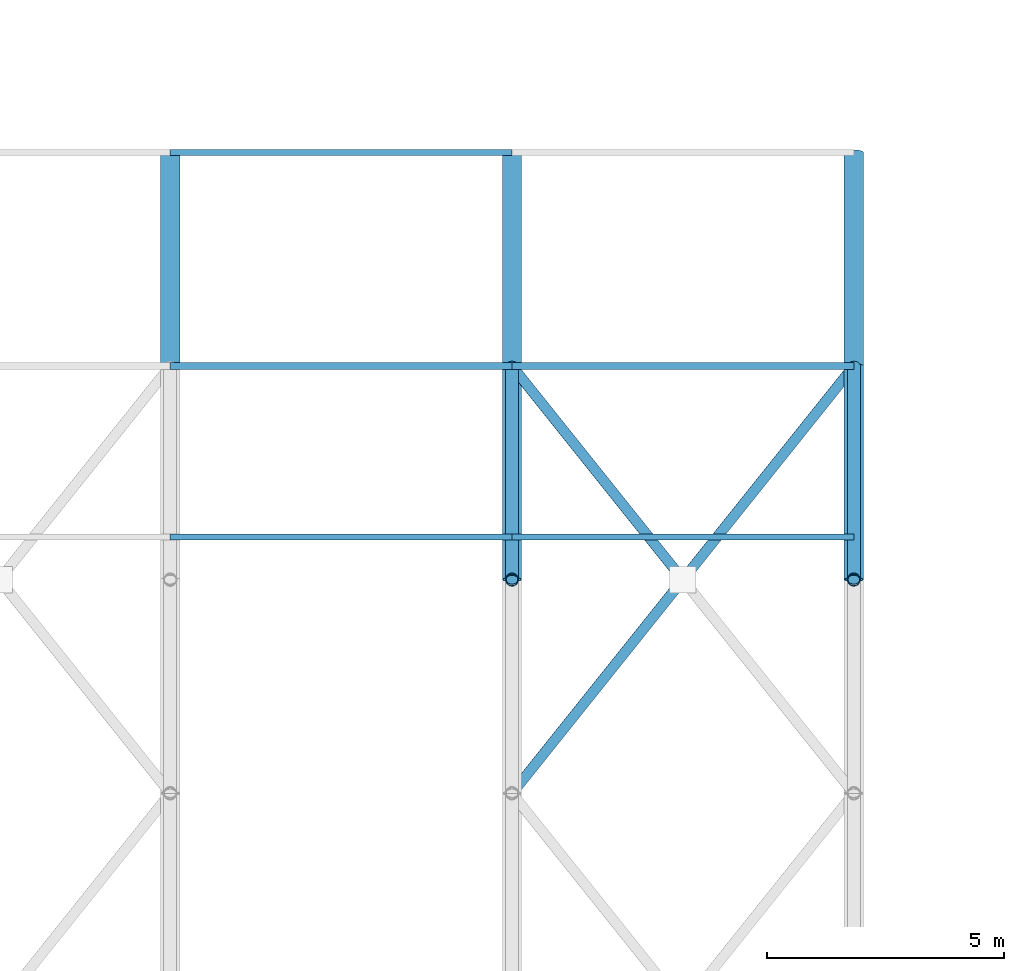
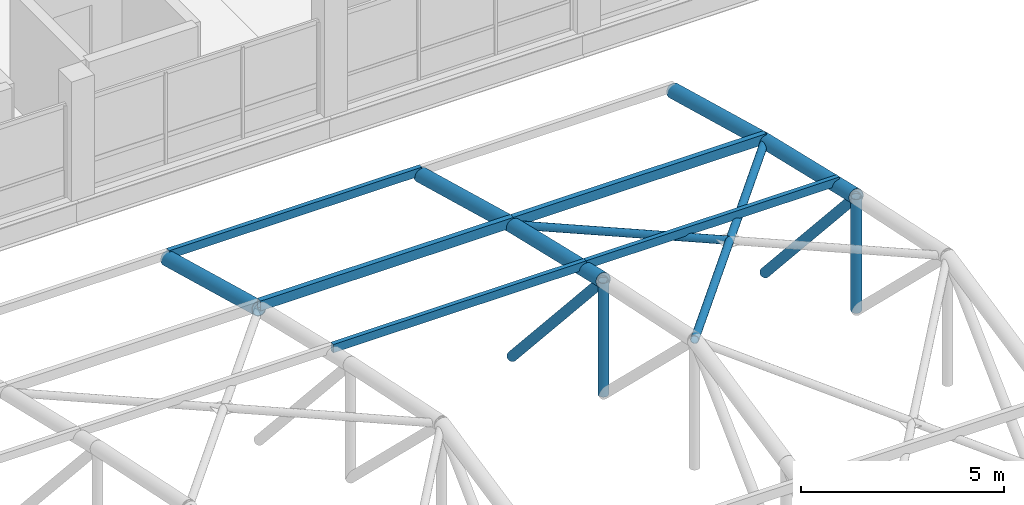
# One storey, part 34 of 96: 16 members.
"""IFC4 building model written with IfcOpenShell, lengths in metres."""

from ifc_helpers import new_model, si_unit, direction, frame, origin, origin_2d, place, context, subcontext, project, spatial, hollow_rectangle, hollow_circle, extrude, material, material_profile, profile_set, type_object, element, save


model = new_model("IFC4")

# Units and contexts
model_context = context("Model", 3, precision=1e-05, world=origin(), true_north=direction((0.0, 1.0)))
body_context = subcontext(model_context, "Body", "Model", "MODEL_VIEW")
ifc_project = project(units=[si_unit("LENGTHUNIT", "METRE"), si_unit("AREAUNIT", "SQUARE_METRE"), si_unit("VOLUMEUNIT", "CUBIC_METRE"), si_unit("PLANEANGLEUNIT", "RADIAN"), si_unit("MASSUNIT", "GRAM", prefix="KILO")], contexts=[model_context])

# Site, building, storey
site_placement = place(None, origin())
site = spatial("IfcSite", under=ifc_project, at=site_placement, CompositionType="ELEMENT")
building_placement = place(site_placement, origin())
building = spatial("IfcBuilding", under=site, at=building_placement, Name="Yarey Park Central Fire Station", CompositionType="ELEMENT")
storey_placement = place(building_placement, frame((0.0, 0.0, 14.39990234375)))
storey = spatial("IfcBuildingStorey", under=building, at=storey_placement, Name="L04", CompositionType="ELEMENT", Elevation=14.39990234375)

# Members
ifc_material = material(Name="Steel ASTM A500 Gr. C", Category="steel")
ifc_material_profile_1 = material_profile(ifc_material, hollow_circle(Radius=0.109619140625, WallThickness=0.010009765625, at=origin_2d()), Name="CHS 219.1x10")
ifc_profile_set_1 = profile_set([ifc_material_profile_1], Name="Steel ASTM A500 Gr. C")
member_type_1 = type_object("IfcMemberType", Name="STR_BRC_CHS219", PredefinedType="BRACE", material=ifc_profile_set_1)
member_1_placement = place(storey_placement, frame((129.60009765625, 75.60009765625, 3.93603515625), z_axis=(0.615531741105, 0.769419894344, -0.170627377286), x_axis=(-0.780870876022, 0.624692464322, 0.0)))
element("IfcMember", 1, at=member_1_placement, inside=storey, type_object=member_type_1, Name="XBR_ARCH_B11_75_1", PredefinedType="BRACE", context=body_context, shape_type="SweptSolid", body=[
    extrude(hollow_circle(Radius=0.109619140625, WallThickness=0.010009765625, at=origin_2d()), origin(), (0.0, 0.0, 1.0), 11.697021484375),
])
member_2_placement = place(storey_placement, frame((133.199951171875, 80.10009765625, 2.93798828125), z_axis=(-0.615520968904, 0.76943251942, -0.170609304843), x_axis=(-0.780881208953, -0.624679547852, 0.0)))
element("IfcMember", 2, at=member_2_placement, inside=storey, type_object=member_type_1, Name="XBR_ARCH_B11_75_2B", PredefinedType="BRACE", context=body_context, shape_type="SweptSolid", body=[
    extrude(hollow_circle(Radius=0.109619140625, WallThickness=0.010009765625, at=origin_2d()), origin(), (0.0, 0.0, 1.0), 5.848388671875),
])
ifc_material_profile_2 = material_profile(ifc_material, hollow_circle(Radius=0.203125, WallThickness=0.01611328125, at=origin_2d()), Name="CHS 406.4x16")
ifc_profile_set_2 = profile_set([ifc_material_profile_2], Name="Steel ASTM A500 Gr. C")
member_type_2 = type_object("IfcMemberType", Name="STR_CHORD_CHS406", PredefinedType="CHORD", material=ifc_profile_set_2)
member_3_placement = place(storey_placement, frame((122.39990234375, 84.60009765625, 1.940185546875), z_axis=(0.0, 0.965014687101, -0.262195830783), x_axis=(-1.0, 0.0, 0.0)))
element("IfcMember", 3, at=member_3_placement, inside=storey, type_object=member_type_2, Name="Arched Roof Truss ART_10 Top Chord 7", PredefinedType="CHORD", context=body_context, shape_type="SweptSolid", body=[
    extrude(hollow_circle(Radius=0.203125, WallThickness=0.01611328125, at=origin_2d()), origin(), (0.0, 0.0, 1.0), 4.6630859375),
])
member_4_placement = place(storey_placement, frame((129.60009765625, 80.10009765625, 2.99609375), z_axis=(0.0, 0.97355760432, -0.228441657915), x_axis=(-1.0, 0.0, 0.0)))
element("IfcMember", 4, at=member_4_placement, inside=storey, type_object=member_type_2, Name="Arched Roof Truss ART_11 Top Chord 6", PredefinedType="CHORD", context=body_context, shape_type="SweptSolid", body=[
    extrude(hollow_circle(Radius=0.203125, WallThickness=0.01611328125, at=origin_2d()), origin(), (0.0, 0.0, 1.0), 4.622314453125),
])
member_5_placement = place(storey_placement, frame((129.60009765625, 84.60009765625, 1.940185546875), z_axis=(0.0, 0.965014687101, -0.262195830783), x_axis=(-1.0, 0.0, 0.0)))
element("IfcMember", 5, at=member_5_placement, inside=storey, type_object=member_type_2, Name="Arched Roof Truss ART_11 Top Chord 7", PredefinedType="CHORD", context=body_context, shape_type="SweptSolid", body=[
    extrude(hollow_circle(Radius=0.203125, WallThickness=0.01611328125, at=origin_2d()), origin(), (0.0, 0.0, 1.0), 4.6630859375),
])
member_6_placement = place(storey_placement, frame((136.800048828125, 80.10009765625, 2.99609375), z_axis=(0.0, 0.97355760432, -0.228441657915), x_axis=(-1.0, 0.0, 0.0)))
element("IfcMember", 6, at=member_6_placement, inside=storey, type_object=member_type_2, Name="Arched Roof Truss ART_12 Top Chord 6", PredefinedType="CHORD", context=body_context, shape_type="SweptSolid", body=[
    extrude(hollow_circle(Radius=0.203125, WallThickness=0.01611328125, at=origin_2d()), origin(), (0.0, 0.0, 1.0), 4.622314453125),
])
member_7_placement = place(storey_placement, frame((136.800048828125, 84.60009765625, 1.940185546875), z_axis=(0.0, 0.965014687101, -0.262195830783), x_axis=(-1.0, 0.0, 0.0)))
element("IfcMember", 7, at=member_7_placement, inside=storey, type_object=member_type_2, Name="Arched Roof Truss ART_12 Top Chord 7", PredefinedType="CHORD", context=body_context, shape_type="SweptSolid", body=[
    extrude(hollow_circle(Radius=0.203125, WallThickness=0.01611328125, at=origin_2d()), origin(), (0.0, 0.0, 1.0), 4.6630859375),
])
ifc_material_profile_3 = material_profile(ifc_material, hollow_rectangle(XDim=0.125, YDim=0.25, WallThickness=0.008056640625, at=origin_2d()), Name="HSS 250x125x8")
ifc_profile_set_3 = profile_set([ifc_material_profile_3], Name="Steel ASTM A500 Gr. C")
member_type_3 = type_object("IfcMemberType", Name="STR_GIRT_HSS250", PredefinedType="PURLIN", material=ifc_profile_set_3)
for number, where, z_axis, x_axis, name in (
    (8, (122.39990234375, 81.0, 2.947021484375), (1.0, 0.0, 0.0), (0.0, 1.0, 0.0), "PUR_ARCH_B10_6"),
    (9, (122.39990234375, 89.10009765625, 0.856689453125), (1.0, 0.0, 0.0), (0.0, 1.0, 0.0), "PUR_ARCH_B10_8"),
):
    element("IfcMember", number, at=place(storey_placement, frame(where, z_axis=z_axis, x_axis=x_axis)), inside=storey, type_object=member_type_3, Name=name, PredefinedType="PURLIN", context=body_context, shape_type="SweptSolid", body=[
        extrude(hollow_rectangle(XDim=0.125, YDim=0.25, WallThickness=0.008056640625, at=origin_2d()), origin(), (0.0, 0.0, 1.0), 7.2001953125),
    ])
member_8_placement = place(storey_placement, frame((129.60009765625, 81.0, 2.947021484375), z_axis=(1.0, 0.0, 0.0), x_axis=(0.0, 1.0, 0.0)))
element("IfcMember", 10, at=member_8_placement, inside=storey, type_object=member_type_3, Name="PUR_ARCH_B11_6", PredefinedType="PURLIN", context=body_context, shape_type="SweptSolid", body=[
    extrude(hollow_rectangle(XDim=0.125, YDim=0.25, WallThickness=0.008056640625, at=origin_2d()), origin(), (0.0, 0.0, 1.0), 7.199951171875),
])
ifc_material_profile_4 = material_profile(ifc_material, hollow_rectangle(XDim=0.14990234375, YDim=0.300048828125, WallThickness=0.010009765625, at=origin_2d()), Name="HSS 300x150x10")
ifc_profile_set_4 = profile_set([ifc_material_profile_4], Name="Steel ASTM A500 Gr. C")
member_type_4 = type_object("IfcMemberType", Name="STR_PUR_HSS300", PredefinedType="PURLIN", material=ifc_profile_set_4)
member_9_placement = place(storey_placement, frame((122.39990234375, 84.60009765625, 2.05419921875), z_axis=(1.0, 0.0, 0.0), x_axis=(0.0, 1.0, 0.0)))
element("IfcMember", 11, at=member_9_placement, inside=storey, type_object=member_type_4, Name="PUR_ARCH_B10_7", PredefinedType="PURLIN", context=body_context, shape_type="SweptSolid", body=[
    extrude(hollow_rectangle(XDim=0.14990234375, YDim=0.300048828125, WallThickness=0.010009765625, at=origin_2d()), origin(), (0.0, 0.0, 1.0), 7.2001953125),
])
member_10_placement = place(storey_placement, frame((129.60009765625, 84.60009765625, 2.05419921875), z_axis=(1.0, 0.0, 0.0), x_axis=(0.0, 1.0, 0.0)))
element("IfcMember", 12, at=member_10_placement, inside=storey, type_object=member_type_4, Name="PUR_ARCH_B11_7", PredefinedType="PURLIN", context=body_context, shape_type="SweptSolid", body=[
    extrude(hollow_rectangle(XDim=0.14990234375, YDim=0.300048828125, WallThickness=0.010009765625, at=origin_2d()), origin(), (0.0, 0.0, 1.0), 7.199951171875),
])
ifc_material_profile_5 = material_profile(ifc_material, hollow_circle(Radius=0.136474609375, WallThickness=0.012451171875, at=origin_2d()), Name="CHS 273x12.5")
ifc_profile_set_5 = profile_set([ifc_material_profile_5], Name="Steel ASTM A500 Gr. C")
member_type_5 = type_object("IfcMemberType", Name="STR_WEB_CHS273", PredefinedType="BRACE", material=ifc_profile_set_5)
member_11_placement = place(storey_placement, frame((129.60009765625, 80.10009765625, 2.99609375), z_axis=(0.0, 0.667414870686, -0.744686101916), x_axis=(-1.0, 0.0, 0.0)))
element("IfcMember", 13, at=member_11_placement, inside=storey, type_object=member_type_5, Name="Arched Roof Truss ART_11 Diagonal 6", PredefinedType="BRACE", context=body_context, shape_type="SweptSolid", body=[
    extrude(hollow_circle(Radius=0.136474609375, WallThickness=0.012451171875, at=origin_2d()), origin(), (0.0, 0.0, 1.0), 6.742431640625),
])
member_12_placement = place(storey_placement, frame((129.60009765625, 80.10009765625, -0.43115234375), z_axis=(0.0, 0.0, 1.0), x_axis=(1.0, 0.0, 0.0)))
element("IfcMember", 14, at=member_12_placement, inside=storey, type_object=member_type_5, Name="Arched Roof Truss ART_11 Vertical 6", PredefinedType="BRACE", context=body_context, shape_type="SweptSolid", body=[
    extrude(hollow_circle(Radius=0.136474609375, WallThickness=0.012451171875, at=origin_2d()), origin(), (0.0, 0.0, 1.0), 3.42724609375),
])
member_13_placement = place(storey_placement, frame((136.800048828125, 80.10009765625, 2.99609375), z_axis=(0.0, 0.667414870686, -0.744686101916), x_axis=(-1.0, 0.0, 0.0)))
element("IfcMember", 15, at=member_13_placement, inside=storey, type_object=member_type_5, Name="Arched Roof Truss ART_12 Diagonal 6", PredefinedType="BRACE", context=body_context, shape_type="SweptSolid", body=[
    extrude(hollow_circle(Radius=0.136474609375, WallThickness=0.012451171875, at=origin_2d()), origin(), (0.0, 0.0, 1.0), 6.742431640625),
])
member_14_placement = place(storey_placement, frame((136.800048828125, 80.10009765625, -0.43115234375), z_axis=(0.0, 0.0, 1.0), x_axis=(1.0, 0.0, 0.0)))
element("IfcMember", 16, at=member_14_placement, inside=storey, type_object=member_type_5, Name="Arched Roof Truss ART_12 Vertical 6", PredefinedType="BRACE", context=body_context, shape_type="SweptSolid", body=[
    extrude(hollow_circle(Radius=0.136474609375, WallThickness=0.012451171875, at=origin_2d()), origin(), (0.0, 0.0, 1.0), 3.42724609375),
])

save(model, "model.ifc")
